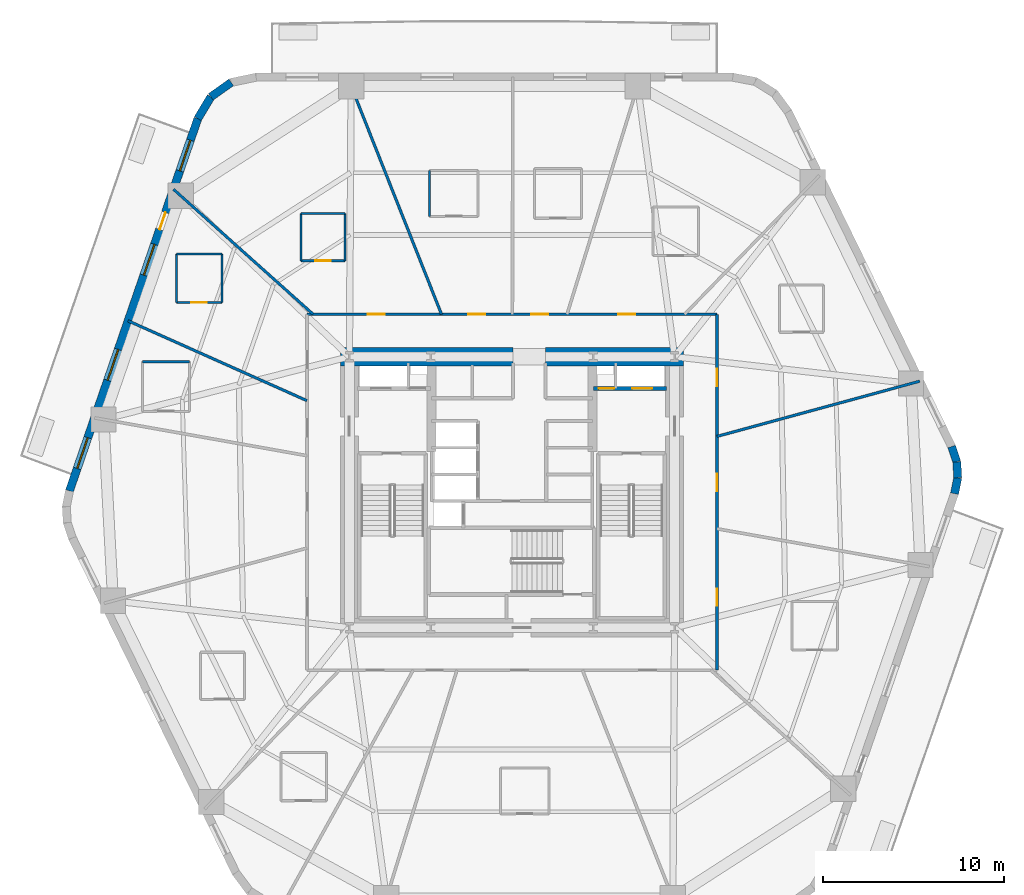
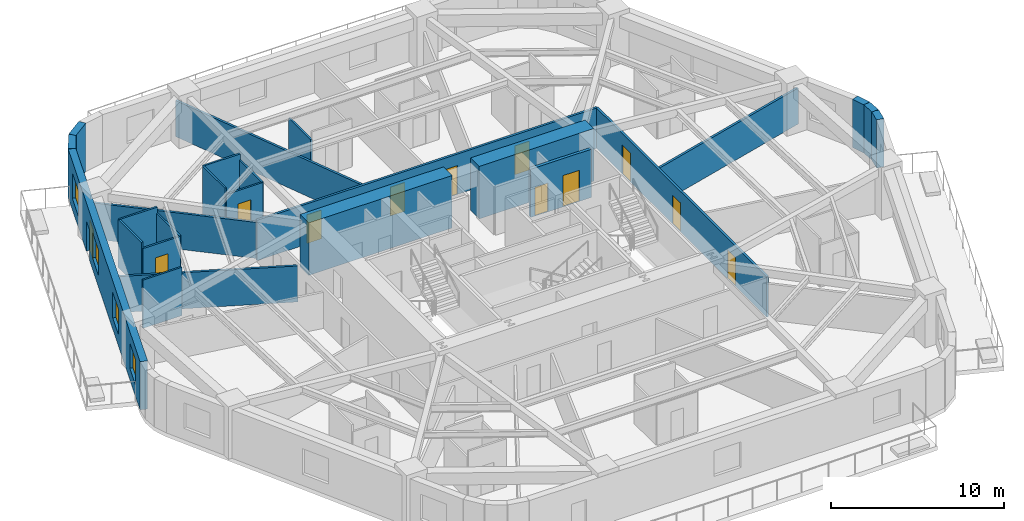
# One storey, part 5 of 10: 25 walls, 12 doors, 4 windows, 16 openings.
"""IFC4 building model written with IfcOpenShell, lengths in metres."""

from ifc_helpers import new_model, si_unit, direction, frame, frame_2d, origin, place, context, subcontext, project, spatial, rectangle, extrude, material, layer, layer_set, type_object, element, fill, save


model = new_model("IFC4")

# Units and contexts
model_context = context("Model", 3, precision=1e-05, world=origin(), true_north=direction((0.0, 1.0)))
body_context = subcontext(model_context, "Body", "Model", "MODEL_VIEW")
ifc_project = project(units=[si_unit("LENGTHUNIT", "METRE"), si_unit("AREAUNIT", "SQUARE_METRE"), si_unit("VOLUMEUNIT", "CUBIC_METRE"), si_unit("PLANEANGLEUNIT", "RADIAN"), si_unit("MASSUNIT", "GRAM", prefix="KILO")], contexts=[model_context])

# Site, building, storey
site_placement = place(None, origin())
site = spatial("IfcSite", under=ifc_project, at=site_placement, CompositionType="ELEMENT")
building_placement = place(site_placement, origin())
building = spatial("IfcBuilding", under=site, at=building_placement, Name="Kilnhurst Terrace Hotel", CompositionType="ELEMENT")
storey_placement = place(building_placement, frame((0.0, 0.0, 67.5)))
storey = spatial("IfcBuildingStorey", under=building, at=storey_placement, Name="L15", CompositionType="ELEMENT", Elevation=67.5)

# Walls
ifc_material_1 = material(Name="Precast concrete C40/50", Category="concrete")
ifc_layer_1 = layer(ifc_material_1, 0.449951171875, Name="Precast concrete C40/50")
ifc_layer_set_1 = layer_set([ifc_layer_1], Name="Precast concrete C40/50")
wall_type_1 = type_object("IfcWallType", Name="WL-BRK-450", PredefinedType="SOLIDWALL", material=ifc_layer_set_1)
wall_1_placement = place(storey_placement, frame((24.49560546875, -0.07666015625, 0.0), z_axis=(0.0, 0.0, 1.0), x_axis=(0.199570594521, 0.979883451132, 0.0)))
element("IfcWall", 1, at=wall_1_placement, inside=storey, type_object=wall_type_1, Name="L15 Rounded Corner Brick Wall C3.1", PredefinedType="SOLIDWALL", context=body_context, shape_type="SweptSolid", body=[
    extrude(rectangle(XDim=0.896728515625, YDim=0.449951171875, at=frame_2d((0.4482421875, 0.0))), origin(), (0.0, 0.0, 1.0), 3.39990234375),
])
wall_2_placement = place(storey_placement, frame((24.674560546875, 0.802001953125, 0.0), z_axis=(0.0, 0.0, 1.0), x_axis=(-0.061188874166, 0.998126205286, 0.0)))
element("IfcWall", 2, at=wall_2_placement, inside=storey, type_object=wall_type_1, Name="L15 Rounded Corner Brick Wall C3.2", PredefinedType="SOLIDWALL", context=body_context, shape_type="SweptSolid", body=[
    extrude(rectangle(XDim=0.8818359375, YDim=0.449951171875, at=frame_2d((0.44091796875, 0.0))), origin(), (0.0, 0.0, 1.0), 3.39990234375),
])
wall_3_placement = place(storey_placement, frame((24.62060546875, 1.68212890625, 0.0), z_axis=(0.0, 0.0, 1.0), x_axis=(-0.317697451681, 0.948192137278, 0.0)))
element("IfcWall", 3, at=wall_3_placement, inside=storey, type_object=wall_type_1, Name="L15 Rounded Corner Brick Wall C3.3", PredefinedType="SOLIDWALL", context=body_context, shape_type="SweptSolid", body=[
    extrude(rectangle(XDim=0.896728515625, YDim=0.449951171875, at=frame_2d((0.4482421875, 0.0))), origin(), (0.0, 0.0, 1.0), 3.39990234375),
])
wall_4_placement = place(storey_placement, frame((-15.5439453125, 22.68701171875, 0.0), z_axis=(0.0, 0.0, 1.0), x_axis=(-0.814210854316, -0.580569276412, 0.0)))
element("IfcWall", 4, at=wall_4_placement, inside=storey, type_object=wall_type_1, Name="L15 Rounded Corner Brick Wall C5.2", PredefinedType="SOLIDWALL", context=body_context, shape_type="SweptSolid", body=[
    extrude(rectangle(XDim=1.38134765625, YDim=0.449951171875, at=frame_2d((0.690673828125, 0.0))), origin(), (0.0, 0.0, 1.0), 3.39990234375),
])
wall_5_placement = place(storey_placement, frame((-16.668701171875, 21.885009765625, 0.0), z_axis=(0.0, 0.0, 1.0), x_axis=(-0.512936712947, -0.858426425799, 0.0)))
element("IfcWall", 5, at=wall_5_placement, inside=storey, type_object=wall_type_1, Name="L15 Rounded Corner Brick Wall C5.3", PredefinedType="SOLIDWALL", context=body_context, shape_type="SweptSolid", body=[
    extrude(rectangle(XDim=1.405517578125, YDim=0.449951171875, at=frame_2d((0.70263671875, 0.0))), origin(), (0.0, 0.0, 1.0), 3.39990234375),
])

# Wall, openings, door, windows
wall_6_placement = place(storey_placement, frame((-17.3896484375, 20.678466796875, 0.0), z_axis=(0.0, 0.0, 1.0), x_axis=(-0.326068018294, -0.945346310854, 0.0)))
wall_6 = element("IfcWall", 6, at=wall_6_placement, inside=storey, type_object=wall_type_1, Name="L15 Exterior Brick Facade Wall F5", PredefinedType="SOLIDWALL", context=body_context, shape_type="SweptSolid", body=[
    extrude(rectangle(XDim=21.79296875, YDim=0.449951171875, at=frame_2d((10.896484375, 0.0))), origin(), (0.0, 0.0, 1.0), 3.39990234375),
])
opening_1_placement = place(wall_6_placement, frame((5.492919921875, 0.0, 0.0)))
opening_1 = element("IfcOpeningElement", 7, at=opening_1_placement, cuts=wall_6, Name="Opening BD-1000", PredefinedType="OPENING", context=body_context, shape_type="SweptSolid", body=[
    extrude(rectangle(XDim=1.0, YDim=2.14990234375, at=frame_2d((0.5, 1.074951171875))), frame((0.0, 0.23486328125, 0.0), z_axis=(0.0, -1.0, 0.0), x_axis=(1.0, 0.0, 0.0)), (0.0, 0.0, 1.0), 0.469970703125),
])
opening_2_placement = place(wall_6_placement, frame((1.260009765625, 0.0, 0.800048828125)))
opening_2 = element("IfcOpeningElement", 8, at=opening_2_placement, cuts=wall_6, Name="Opening W-01", PredefinedType="OPENING", context=body_context, shape_type="SweptSolid", body=[
    extrude(rectangle(XDim=1.800048828125, YDim=1.800048828125, at=frame_2d((0.89990234375, 0.89990234375))), frame((0.0, 0.23486328125, 0.0), z_axis=(0.0, -1.0, 0.0), x_axis=(1.0, 0.0, 0.0)), (0.0, 0.0, 1.0), 0.469970703125),
])
opening_3_placement = place(wall_6_placement, frame((7.363037109375, 0.0, 0.800048828125)))
opening_3 = element("IfcOpeningElement", 9, at=opening_3_placement, cuts=wall_6, Name="Opening W-01", PredefinedType="OPENING", context=body_context, shape_type="SweptSolid", body=[
    extrude(rectangle(XDim=1.800048828125, YDim=1.800048828125, at=frame_2d((0.89990234375, 0.89990234375))), frame((0.0, 0.23486328125, 0.0), z_axis=(0.0, -1.0, 0.0), x_axis=(1.0, 0.0, 0.0)), (0.0, 0.0, 1.0), 0.469970703125),
])
opening_4_placement = place(wall_6_placement, frame((13.51806640625, 0.0, 0.800048828125)))
opening_4 = element("IfcOpeningElement", 10, at=opening_4_placement, cuts=wall_6, Name="Opening W-01", PredefinedType="OPENING", context=body_context, shape_type="SweptSolid", body=[
    extrude(rectangle(XDim=1.800048828125, YDim=1.800048828125, at=frame_2d((0.89990234375, 0.89990234375))), frame((0.0, 0.23486328125, 0.0), z_axis=(0.0, -1.0, 0.0), x_axis=(1.0, 0.0, 0.0)), (0.0, 0.0, 1.0), 0.469970703125),
])
opening_5_placement = place(wall_6_placement, frame((18.679931640625, 0.0, 0.800048828125)))
opening_5 = element("IfcOpeningElement", 11, at=opening_5_placement, cuts=wall_6, Name="Opening W-01", PredefinedType="OPENING", context=body_context, shape_type="SweptSolid", body=[
    extrude(rectangle(XDim=1.800048828125, YDim=1.800048828125, at=frame_2d((0.89990234375, 0.89990234375))), frame((0.0, 0.23486328125, 0.0), z_axis=(0.0, -1.0, 0.0), x_axis=(1.0, 0.0, 0.0)), (0.0, 0.0, 1.0), 0.469970703125),
])
ifc_material_2 = material(Name="Thermally Broken Bronze Aluminium Alloy 6063-T6 and Laminated Glass", Category="aluminium")
door_type_1 = type_object("IfcDoorType", Name="DR-EXT-BAL-1000", OperationType="NOTDEFINED", PredefinedType="DOOR", material=ifc_material_2)
door_1_placement = place(opening_1_placement, origin())
door_1 = element("IfcDoor", 12, at=door_1_placement, inside=storey, type_object=door_type_1, Name="L15 Planted Balcony Door BAL-L2B", OperationType="SINGLE_SWING_LEFT", OverallHeight=2.14990234375, OverallWidth=1.0, PredefinedType="DOOR", context=body_context, shape_type="SweptSolid", body=[
    extrude(rectangle(XDim=1.0, YDim=2.14990234375, at=frame_2d((0.5, 1.074951171875))), frame((0.0, 0.02490234375, 0.0), z_axis=(0.0, -1.0, 0.0), x_axis=(1.0, 0.0, 0.0)), (0.0, 0.0, 1.0), 0.050048828125),
])
fill(opening_1, door_1)
ifc_material_3 = material(Name="Thermally Broken Bronze Aluminium Alloy 6063-T6 and Low-E Glass", Category="aluminium")
window_type = type_object("IfcWindowType", Name="WIN-1800X1800", PartitioningType="SINGLE_PANEL", PredefinedType="WINDOW", material=ifc_material_3)
window_1_placement = place(opening_2_placement, origin())
window_1 = element("IfcWindow", 13, at=window_1_placement, inside=storey, type_object=window_type, Name="L15 Deep-Set Masonry Window F5.1", OverallHeight=1.800048828125, OverallWidth=1.800048828125, PartitioningType="SINGLE_PANEL", PredefinedType="WINDOW", context=body_context, shape_type="SweptSolid", body=[
    extrude(rectangle(XDim=1.800048828125, YDim=1.800048828125, at=frame_2d((0.89990234375, 0.89990234375))), frame((0.0, 0.030029296875, 0.0), z_axis=(0.0, -1.0, 0.0), x_axis=(1.0, 0.0, 0.0)), (0.0, 0.0, 1.0), 0.06005859375),
])
fill(opening_2, window_1)
window_2_placement = place(opening_3_placement, origin())
window_2 = element("IfcWindow", 14, at=window_2_placement, inside=storey, type_object=window_type, Name="L15 Deep-Set Masonry Window F5.2", OverallHeight=1.800048828125, OverallWidth=1.800048828125, PartitioningType="SINGLE_PANEL", PredefinedType="WINDOW", context=body_context, shape_type="SweptSolid", body=[
    extrude(rectangle(XDim=1.800048828125, YDim=1.800048828125, at=frame_2d((0.89990234375, 0.89990234375))), frame((0.0, 0.030029296875, 0.0), z_axis=(0.0, -1.0, 0.0), x_axis=(1.0, 0.0, 0.0)), (0.0, 0.0, 1.0), 0.06005859375),
])
fill(opening_3, window_2)
window_3_placement = place(opening_4_placement, origin())
window_3 = element("IfcWindow", 15, at=window_3_placement, inside=storey, type_object=window_type, Name="L15 Deep-Set Masonry Window F5.3", OverallHeight=1.800048828125, OverallWidth=1.800048828125, PartitioningType="SINGLE_PANEL", PredefinedType="WINDOW", context=body_context, shape_type="SweptSolid", body=[
    extrude(rectangle(XDim=1.800048828125, YDim=1.800048828125, at=frame_2d((0.89990234375, 0.89990234375))), frame((0.0, 0.030029296875, 0.0), z_axis=(0.0, -1.0, 0.0), x_axis=(1.0, 0.0, 0.0)), (0.0, 0.0, 1.0), 0.06005859375),
])
fill(opening_4, window_3)
window_4_placement = place(opening_5_placement, origin())
window_4 = element("IfcWindow", 16, at=window_4_placement, inside=storey, type_object=window_type, Name="L15 Deep-Set Masonry Window F5.4", OverallHeight=1.800048828125, OverallWidth=1.800048828125, PartitioningType="SINGLE_PANEL", PredefinedType="WINDOW", context=body_context, shape_type="SweptSolid", body=[
    extrude(rectangle(XDim=1.800048828125, YDim=1.800048828125, at=frame_2d((0.89990234375, 0.89990234375))), frame((0.0, 0.030029296875, 0.0), z_axis=(0.0, -1.0, 0.0), x_axis=(1.0, 0.0, 0.0)), (0.0, 0.0, 1.0), 0.06005859375),
])
fill(opening_5, window_4)

# Wall, openings, doors
ifc_material_4 = material(Name="Acoustic Double-Gypsum Corridor Partition Assembly")
ifc_layer_2 = layer(ifc_material_4, 0.14990234375, Name="Acoustic Double-Gypsum Corridor Partition Assembly")
ifc_layer_set_2 = layer_set([ifc_layer_2], Name="Acoustic Double-Gypsum Corridor Partition Assembly")
wall_type_2 = type_object("IfcWallType", Name="WL-COR-150", PredefinedType="PARTITIONING", material=ifc_layer_set_2)
wall_7_placement = place(storey_placement, frame((-11.35009765625, 9.85009765625, 0.0), z_axis=(0.0, 0.0, 1.0), x_axis=(1.0, 0.0, 0.0)))
wall_7 = element("IfcWall", 17, at=wall_7_placement, inside=storey, type_object=wall_type_2, Name="L15 Interior Wall WL-L15-COR-02", PredefinedType="PARTITIONING", context=body_context, shape_type="SweptSolid", body=[
    extrude(rectangle(XDim=22.7001953125, YDim=0.14990234375, at=frame_2d((11.35009765625, 0.0))), origin(), (0.0, 0.0, 1.0), 2.840087890625),
])
opening_6_placement = place(wall_7_placement, frame((17.22509765625, 0.0, 0.0)))
opening_6 = element("IfcOpeningElement", 18, at=opening_6_placement, cuts=wall_7, Name="Opening D-60B", PredefinedType="OPENING", context=body_context, shape_type="SweptSolid", body=[
    extrude(rectangle(XDim=0.949951171875, YDim=2.030029296875, at=frame_2d((0.47509765625, 1.01513671875))), frame((0.0, 0.0849609375, 0.0), z_axis=(0.0, -1.0, 0.0), x_axis=(1.0, 0.0, 0.0)), (0.0, 0.0, 1.0), 0.169921875),
])
opening_7_placement = place(wall_7_placement, frame((12.4150390625, 0.0, 0.0)))
opening_7 = element("IfcOpeningElement", 19, at=opening_7_placement, cuts=wall_7, Name="Opening D-60B", PredefinedType="OPENING", context=body_context, shape_type="SweptSolid", body=[
    extrude(rectangle(XDim=0.949951171875, YDim=2.030029296875, at=frame_2d((0.47509765625, 1.01513671875))), frame((0.0, 0.0849609375, 0.0), z_axis=(0.0, -1.0, 0.0), x_axis=(1.0, 0.0, 0.0)), (0.0, 0.0, 1.0), 0.169921875),
])
opening_8_placement = place(wall_7_placement, frame((8.925048828125, 0.0, 0.0)))
opening_8 = element("IfcOpeningElement", 20, at=opening_8_placement, cuts=wall_7, Name="Opening D-60B", PredefinedType="OPENING", context=body_context, shape_type="SweptSolid", body=[
    extrude(rectangle(XDim=0.949951171875, YDim=2.030029296875, at=frame_2d((0.47509765625, 1.01513671875))), frame((0.0, 0.0849609375, 0.0), z_axis=(0.0, -1.0, 0.0), x_axis=(1.0, 0.0, 0.0)), (0.0, 0.0, 1.0), 0.169921875),
])
opening_9_placement = place(wall_7_placement, frame((3.368896484375, 0.0, 0.0)))
opening_9 = element("IfcOpeningElement", 21, at=opening_9_placement, cuts=wall_7, Name="Opening D-60B", PredefinedType="OPENING", context=body_context, shape_type="SweptSolid", body=[
    extrude(rectangle(XDim=0.949951171875, YDim=2.030029296875, at=frame_2d((0.47509765625, 1.01513671875))), frame((0.0, 0.0849609375, 0.0), z_axis=(0.0, -1.0, 0.0), x_axis=(1.0, 0.0, 0.0)), (0.0, 0.0, 1.0), 0.169921875),
])
ifc_material_5 = material(Name="Acoustic Walnut Veneer Solid-Core Fire Door")
door_type_2 = type_object("IfcDoorType", Name="DR-FD60-950", OperationType="NOTDEFINED", PredefinedType="DOOR", material=ifc_material_5)
door_2_placement = place(opening_6_placement, origin())
door_2 = element("IfcDoor", 22, at=door_2_placement, inside=storey, type_object=door_type_2, Name="L15 Executive Suite Entry Door 2", OperationType="SINGLE_SWING_RIGHT", OverallHeight=2.030029296875, OverallWidth=0.949951171875, PredefinedType="DOOR", context=body_context, shape_type="SweptSolid", body=[
    extrude(rectangle(XDim=0.949951171875, YDim=2.030029296875, at=frame_2d((0.47509765625, 1.01513671875))), frame((0.0, 0.02490234375, 0.0), z_axis=(0.0, -1.0, 0.0), x_axis=(1.0, 0.0, 0.0)), (0.0, 0.0, 1.0), 0.050048828125),
])
fill(opening_6, door_2)
door_3_placement = place(opening_7_placement, origin())
door_3 = element("IfcDoor", 23, at=door_3_placement, inside=storey, type_object=door_type_2, Name="L15 Guest Room Entry Door 3", OperationType="SINGLE_SWING_LEFT", OverallHeight=2.030029296875, OverallWidth=0.949951171875, PredefinedType="DOOR", context=body_context, shape_type="SweptSolid", body=[
    extrude(rectangle(XDim=0.949951171875, YDim=2.030029296875, at=frame_2d((0.47509765625, 1.01513671875))), frame((0.0, 0.02490234375, 0.0), z_axis=(0.0, -1.0, 0.0), x_axis=(1.0, 0.0, 0.0)), (0.0, 0.0, 1.0), 0.050048828125),
])
fill(opening_7, door_3)
door_4_placement = place(opening_8_placement, origin())
door_4 = element("IfcDoor", 24, at=door_4_placement, inside=storey, type_object=door_type_2, Name="L15 Executive Suite Entry Door 4", OperationType="SINGLE_SWING_RIGHT", OverallHeight=2.030029296875, OverallWidth=0.949951171875, PredefinedType="DOOR", context=body_context, shape_type="SweptSolid", body=[
    extrude(rectangle(XDim=0.949951171875, YDim=2.030029296875, at=frame_2d((0.47509765625, 1.01513671875))), frame((0.0, 0.02490234375, 0.0), z_axis=(0.0, -1.0, 0.0), x_axis=(1.0, 0.0, 0.0)), (0.0, 0.0, 1.0), 0.050048828125),
])
fill(opening_8, door_4)
door_5_placement = place(opening_9_placement, origin())
door_5 = element("IfcDoor", 25, at=door_5_placement, inside=storey, type_object=door_type_2, Name="L15 Executive Suite Entry Door 5", OperationType="SINGLE_SWING_LEFT", OverallHeight=2.030029296875, OverallWidth=0.949951171875, PredefinedType="DOOR", context=body_context, shape_type="SweptSolid", body=[
    extrude(rectangle(XDim=0.949951171875, YDim=2.030029296875, at=frame_2d((0.47509765625, 1.01513671875))), frame((0.0, 0.02490234375, 0.0), z_axis=(0.0, -1.0, 0.0), x_axis=(1.0, 0.0, 0.0)), (0.0, 0.0, 1.0), 0.050048828125),
])
fill(opening_9, door_5)

wall_8_placement = place(storey_placement, frame((11.35009765625, 9.85009765625, 0.0), z_axis=(0.0, 0.0, 1.0), x_axis=(0.0, -1.0, 0.0)))
wall_8 = element("IfcWall", 26, at=wall_8_placement, inside=storey, type_object=wall_type_2, Name="L15 Interior Wall WL-L15-COR-03", PredefinedType="PARTITIONING", context=body_context, shape_type="SweptSolid", body=[
    extrude(rectangle(XDim=19.7001953125, YDim=0.14990234375, at=frame_2d((9.85009765625, 0.0))), origin(), (0.0, 0.0, 1.0), 2.840087890625),
])
opening_10_placement = place(wall_8_placement, frame((3.02392578125, 0.0, 0.0)))
opening_10 = element("IfcOpeningElement", 27, at=opening_10_placement, cuts=wall_8, Name="Opening D-60B", PredefinedType="OPENING", context=body_context, shape_type="SweptSolid", body=[
    extrude(rectangle(XDim=0.949951171875, YDim=2.030029296875, at=frame_2d((0.47509765625, 1.01513671875))), frame((0.0, 0.0849609375, 0.0), z_axis=(0.0, -1.0, 0.0), x_axis=(1.0, 0.0, 0.0)), (0.0, 0.0, 1.0), 0.169921875),
])
opening_11_placement = place(wall_8_placement, frame((15.19091796875, 0.0, 0.0)))
opening_11 = element("IfcOpeningElement", 28, at=opening_11_placement, cuts=wall_8, Name="Opening D-60B", PredefinedType="OPENING", context=body_context, shape_type="SweptSolid", body=[
    extrude(rectangle(XDim=0.949951171875, YDim=2.030029296875, at=frame_2d((0.47509765625, 1.01513671875))), frame((0.0, 0.0849609375, 0.0), z_axis=(0.0, -1.0, 0.0), x_axis=(1.0, 0.0, 0.0)), (0.0, 0.0, 1.0), 0.169921875),
])
opening_12_placement = place(wall_8_placement, frame((8.837890625, 0.0, 0.0)))
opening_12 = element("IfcOpeningElement", 29, at=opening_12_placement, cuts=wall_8, Name="Opening D-60B", PredefinedType="OPENING", context=body_context, shape_type="SweptSolid", body=[
    extrude(rectangle(XDim=0.949951171875, YDim=2.030029296875, at=frame_2d((0.47509765625, 1.01513671875))), frame((0.0, 0.0849609375, 0.0), z_axis=(0.0, -1.0, 0.0), x_axis=(1.0, 0.0, 0.0)), (0.0, 0.0, 1.0), 0.169921875),
])
door_6_placement = place(opening_10_placement, origin())
door_6 = element("IfcDoor", 30, at=door_6_placement, inside=storey, type_object=door_type_2, Name="L15 Executive Suite Entry Door 1", OperationType="SINGLE_SWING_LEFT", OverallHeight=2.030029296875, OverallWidth=0.949951171875, PredefinedType="DOOR", context=body_context, shape_type="SweptSolid", body=[
    extrude(rectangle(XDim=0.949951171875, YDim=2.030029296875, at=frame_2d((0.47509765625, 1.01513671875))), frame((0.0, 0.02490234375, 0.0), z_axis=(0.0, -1.0, 0.0), x_axis=(1.0, 0.0, 0.0)), (0.0, 0.0, 1.0), 0.050048828125),
])
fill(opening_10, door_6)
door_7_placement = place(opening_11_placement, origin())
door_7 = element("IfcDoor", 31, at=door_7_placement, inside=storey, type_object=door_type_2, Name="L15 Executive Suite Entry Door 14", OperationType="SINGLE_SWING_RIGHT", OverallHeight=2.030029296875, OverallWidth=0.949951171875, PredefinedType="DOOR", context=body_context, shape_type="SweptSolid", body=[
    extrude(rectangle(XDim=0.949951171875, YDim=2.030029296875, at=frame_2d((0.47509765625, 1.01513671875))), frame((0.0, 0.02490234375, 0.0), z_axis=(0.0, -1.0, 0.0), x_axis=(1.0, 0.0, 0.0)), (0.0, 0.0, 1.0), 0.050048828125),
])
fill(opening_11, door_7)
door_8_placement = place(opening_12_placement, origin())
door_8 = element("IfcDoor", 32, at=door_8_placement, inside=storey, type_object=door_type_2, Name="L15 Reading Study Door", OperationType="SINGLE_SWING_LEFT", OverallHeight=2.030029296875, OverallWidth=0.949951171875, PredefinedType="DOOR", context=body_context, shape_type="SweptSolid", body=[
    extrude(rectangle(XDim=0.949951171875, YDim=2.030029296875, at=frame_2d((0.47509765625, 1.01513671875))), frame((0.0, 0.02490234375, 0.0), z_axis=(0.0, -1.0, 0.0), x_axis=(1.0, 0.0, 0.0)), (0.0, 0.0, 1.0), 0.050048828125),
])
fill(opening_12, door_8)

# Walls
ifc_material_6 = material(Name="Concrete C80/95", Category="concrete")
ifc_layer_3 = layer(ifc_material_6, 1.0, Name="Concrete C80/95")
ifc_layer_set_3 = layer_set([ifc_layer_3], Name="Concrete C80/95")
wall_type_3 = type_object("IfcWallType", Name="WL-CORE-1000", PredefinedType="SHEAR", material=ifc_layer_set_3)
wall_9_placement = place(storey_placement, frame((-9.5, 7.5, 0.0), z_axis=(0.0, 0.0, 1.0), x_axis=(1.0, 0.0, 0.0)))
element("IfcWall", 33, at=wall_9_placement, inside=storey, type_object=wall_type_3, Name="L15 Core North West Shear Wall", PredefinedType="SHEAR", context=body_context, shape_type="SweptSolid", body=[
    extrude(rectangle(XDim=9.550048828125, YDim=1.0, at=frame_2d((4.77490234375, 0.0))), origin(), (0.0, 0.0, 1.0), 3.699951171875),
])
wall_10_placement = place(storey_placement, frame((1.85009765625, 7.5, 0.0), z_axis=(0.0, 0.0, 1.0), x_axis=(1.0, 0.0, 0.0)))
element("IfcWall", 34, at=wall_10_placement, inside=storey, type_object=wall_type_3, Name="L15 Core North East Shear Wall", PredefinedType="SHEAR", context=body_context, shape_type="SweptSolid", body=[
    extrude(rectangle(XDim=7.64990234375, YDim=1.0, at=frame_2d((3.824951171875, 0.0))), origin(), (0.0, 0.0, 1.0), 3.699951171875),
])
ifc_material_7 = material(Name="STC-58 Acoustic Twin-Frame Guestroom Demising Partition")
ifc_layer_4 = layer(ifc_material_7, 0.14990234375, Name="STC-58 Acoustic Twin-Frame Guestroom Demising Partition")
ifc_layer_set_4 = layer_set([ifc_layer_4], Name="STC-58 Acoustic Twin-Frame Guestroom Demising Partition")
wall_type_4 = type_object("IfcWallType", Name="WL-DEM-150", PredefinedType="PARTITIONING", material=ifc_layer_set_4)
wall_11_placement = place(storey_placement, frame((11.35009765625, 3.0908203125, 0.0), z_axis=(0.0, 0.0, 1.0), x_axis=(0.964859685283, 0.262765651704, 0.0)))
element("IfcWall", 35, at=wall_11_placement, inside=storey, type_object=wall_type_4, Name="L15 Interior Wall WL-L15-DEM-COL01-01-1", PredefinedType="PARTITIONING", context=body_context, shape_type="SweptSolid", body=[
    extrude(rectangle(XDim=11.62890625, YDim=0.14990234375, at=frame_2d((5.814453125, 0.0))), origin(), (0.0, 0.0, 1.0), 2.5400390625),
])
wall_12_placement = place(storey_placement, frame((-3.90185546875, 9.85009765625, 0.0), z_axis=(0.0, 0.0, 1.0), x_axis=(-0.36828765711, 0.929711891728, 0.0)))
element("IfcWall", 36, at=wall_12_placement, inside=storey, type_object=wall_type_4, Name="L15 Interior Wall WL-L15-DEM-COL04-05-1", PredefinedType="PARTITIONING", context=body_context, shape_type="SweptSolid", body=[
    extrude(rectangle(XDim=14.1171875, YDim=0.14990234375, at=frame_2d((7.05859375, 0.0))), origin(), (0.0, 0.0, 1.0), 2.5400390625),
])
wall_13_placement = place(storey_placement, frame((-11.006591796875, 9.85009765625, 0.0), z_axis=(0.0, 0.0, 1.0), x_axis=(-0.745177305978, 0.666866390407, 0.0)))
element("IfcWall", 37, at=wall_13_placement, inside=storey, type_object=wall_type_4, Name="L15 Interior Wall WL-L15-DEM-COL05-06-1", PredefinedType="PARTITIONING", context=body_context, shape_type="SweptSolid", body=[
    extrude(rectangle(XDim=10.375244140625, YDim=0.14990234375, at=frame_2d((5.1875, 0.0))), origin(), (0.0, 0.0, 1.0), 2.5400390625),
])
wall_14_placement = place(storey_placement, frame((-11.35009765625, 5.068115234375, 0.0), z_axis=(0.0, 0.0, 1.0), x_axis=(-0.913107192911, 0.407719577963, 0.0)))
element("IfcWall", 38, at=wall_14_placement, inside=storey, type_object=wall_type_4, Name="L15 Interior Wall WL-L15-DEM-MID05-07-1", PredefinedType="PARTITIONING", context=body_context, shape_type="SweptSolid", body=[
    extrude(rectangle(XDim=10.84130859375, YDim=0.14990234375, at=frame_2d((5.420654296875, 0.0))), origin(), (0.0, 0.0, 1.0), 2.5400390625),
])
ifc_material_8 = material(Name="120 mm Moisture-Resistant Tile-Backed Bathroom Partition")
ifc_layer_5 = layer(ifc_material_8, 0.1201171875, Name="120 mm Moisture-Resistant Tile-Backed Bathroom Partition")
ifc_layer_set_5 = layer_set([ifc_layer_5], Name="120 mm Moisture-Resistant Tile-Backed Bathroom Partition")
wall_type_5 = type_object("IfcWallType", Name="WL-PART-120", PredefinedType="PARTITIONING", material=ifc_layer_set_5)
wall_15_placement = place(storey_placement, frame((-4.55908203125, 17.806884765625, 0.0), z_axis=(0.0, 0.0, 1.0), x_axis=(0.0, -1.0, 0.0)))
element("IfcWall", 39, at=wall_15_placement, inside=storey, type_object=wall_type_5, Name="L15 Interior Wall WL-L15-BTH-04-4", PredefinedType="PARTITIONING", context=body_context, shape_type="SweptSolid", body=[
    extrude(rectangle(XDim=2.539794921875, YDim=0.1201171875, at=frame_2d((1.27001953125, 0.0))), origin(), (0.0, 0.0, 1.0), 2.84033203125),
])

# Wall, opening, door
wall_16_placement = place(storey_placement, frame((-11.681884765625, 12.81298828125, 0.0), z_axis=(0.0, 0.0, 1.0), x_axis=(1.0, 0.0, 0.0)))
wall_16 = element("IfcWall", 40, at=wall_16_placement, inside=storey, type_object=wall_type_5, Name="L15 Interior Wall WL-L15-BTH-05-1", PredefinedType="PARTITIONING", context=body_context, shape_type="SweptSolid", body=[
    extrude(rectangle(XDim=2.43994140625, YDim=0.1201171875, at=frame_2d((1.219970703125, 0.0))), origin(), (0.0, 0.0, 1.0), 2.972412109375),
])
opening_13_placement = place(wall_16_placement, frame((0.794921875, 0.0, 0.0)))
opening_13 = element("IfcOpeningElement", 41, at=opening_13_placement, cuts=wall_16, Name="Opening D-08A", PredefinedType="OPENING", context=body_context, shape_type="SweptSolid", body=[
    extrude(rectangle(XDim=0.85009765625, YDim=2.030029296875, at=frame_2d((0.425048828125, 1.01513671875))), frame((0.0, 0.070068359375, 0.0), z_axis=(0.0, -1.0, 0.0), x_axis=(1.0, 0.0, 0.0)), (0.0, 0.0, 1.0), 0.14013671875),
])
ifc_material_9 = material(Name="Moisture-Resistant Lacquered En-suite Bathroom Door")
door_type_3 = type_object("IfcDoorType", Name="DR-INT-850", OperationType="NOTDEFINED", PredefinedType="DOOR", material=ifc_material_9)
door_9_placement = place(opening_13_placement, origin())
door_9 = element("IfcDoor", 42, at=door_9_placement, inside=storey, type_object=door_type_3, Name="L15 En-suite Bathroom Door 5", OperationType="SINGLE_SWING_RIGHT", OverallHeight=2.030029296875, OverallWidth=0.85009765625, PredefinedType="DOOR", context=body_context, shape_type="SweptSolid", body=[
    extrude(rectangle(XDim=0.85009765625, YDim=2.030029296875, at=frame_2d((0.425048828125, 1.01513671875))), frame((0.0, 0.02490234375, 0.0), z_axis=(0.0, -1.0, 0.0), x_axis=(1.0, 0.0, 0.0)), (0.0, 0.0, 1.0), 0.050048828125),
])
fill(opening_13, door_9)

# Walls
wall_17_placement = place(storey_placement, frame((-9.241943359375, 12.81298828125, 0.0), z_axis=(0.0, 0.0, 1.0), x_axis=(0.0, 1.0, 0.0)))
element("IfcWall", 43, at=wall_17_placement, inside=storey, type_object=wall_type_5, Name="L15 Interior Wall WL-L15-BTH-05-2", PredefinedType="PARTITIONING", context=body_context, shape_type="SweptSolid", body=[
    extrude(rectangle(XDim=2.610107421875, YDim=0.1201171875, at=frame_2d((1.30517578125, 0.0))), origin(), (0.0, 0.0, 1.0), 2.972412109375),
])
wall_18_placement = place(storey_placement, frame((-9.241943359375, 15.423095703125, 0.0), z_axis=(0.0, 0.0, 1.0), x_axis=(-1.0, 0.0, 0.0)))
element("IfcWall", 44, at=wall_18_placement, inside=storey, type_object=wall_type_5, Name="L15 Interior Wall WL-L15-BTH-05-3", PredefinedType="PARTITIONING", context=body_context, shape_type="SweptSolid", body=[
    extrude(rectangle(XDim=2.43994140625, YDim=0.1201171875, at=frame_2d((1.219970703125, 0.0))), origin(), (0.0, 0.0, 1.0), 3.39990234375),
])
wall_19_placement = place(storey_placement, frame((-11.681884765625, 15.423095703125, 0.0), z_axis=(0.0, 0.0, 1.0), x_axis=(0.0, -1.0, 0.0)))
element("IfcWall", 45, at=wall_19_placement, inside=storey, type_object=wall_type_5, Name="L15 Interior Wall WL-L15-BTH-05-4", PredefinedType="PARTITIONING", context=body_context, shape_type="SweptSolid", body=[
    extrude(rectangle(XDim=2.610107421875, YDim=0.1201171875, at=frame_2d((1.30517578125, 0.0))), origin(), (0.0, 0.0, 1.0), 3.39990234375),
])

# Wall, opening, door
wall_20_placement = place(storey_placement, frame((-18.5791015625, 10.50390625, 0.0), z_axis=(0.0, 0.0, 1.0), x_axis=(1.0, 0.0, 0.0)))
wall_20 = element("IfcWall", 46, at=wall_20_placement, inside=storey, type_object=wall_type_5, Name="L15 Interior Wall WL-L15-BTH-06-1", PredefinedType="PARTITIONING", context=body_context, shape_type="SweptSolid", body=[
    extrude(rectangle(XDim=2.52001953125, YDim=0.1201171875, at=frame_2d((1.260009765625, 0.0))), origin(), (0.0, 0.0, 1.0), 2.972412109375),
])
opening_14_placement = place(wall_20_placement, frame((0.8349609375, 0.0, 0.0)))
opening_14 = element("IfcOpeningElement", 47, at=opening_14_placement, cuts=wall_20, Name="Opening D-08A", PredefinedType="OPENING", context=body_context, shape_type="SweptSolid", body=[
    extrude(rectangle(XDim=0.85009765625, YDim=2.030029296875, at=frame_2d((0.425048828125, 1.01513671875))), frame((0.0, 0.070068359375, 0.0), z_axis=(0.0, -1.0, 0.0), x_axis=(1.0, 0.0, 0.0)), (0.0, 0.0, 1.0), 0.14013671875),
])
door_10_placement = place(opening_14_placement, origin())
door_10 = element("IfcDoor", 48, at=door_10_placement, inside=storey, type_object=door_type_3, Name="L15 En-suite Bathroom Door 6", OperationType="SINGLE_SWING_LEFT", OverallHeight=2.030029296875, OverallWidth=0.85009765625, PredefinedType="DOOR", context=body_context, shape_type="SweptSolid", body=[
    extrude(rectangle(XDim=0.85009765625, YDim=2.030029296875, at=frame_2d((0.425048828125, 1.01513671875))), frame((0.0, 0.02490234375, 0.0), z_axis=(0.0, -1.0, 0.0), x_axis=(1.0, 0.0, 0.0)), (0.0, 0.0, 1.0), 0.050048828125),
])
fill(opening_14, door_10)

# Walls
wall_21_placement = place(storey_placement, frame((-16.05908203125, 10.50390625, 0.0), z_axis=(0.0, 0.0, 1.0), x_axis=(0.0, 1.0, 0.0)))
element("IfcWall", 49, at=wall_21_placement, inside=storey, type_object=wall_type_5, Name="L15 Interior Wall WL-L15-BTH-06-2", PredefinedType="PARTITIONING", context=body_context, shape_type="SweptSolid", body=[
    extrude(rectangle(XDim=2.68017578125, YDim=0.1201171875, at=frame_2d((1.340087890625, 0.0))), origin(), (0.0, 0.0, 1.0), 2.972412109375),
])
wall_22_placement = place(storey_placement, frame((-16.05908203125, 13.18408203125, 0.0), z_axis=(0.0, 0.0, 1.0), x_axis=(-1.0, 0.0, 0.0)))
element("IfcWall", 50, at=wall_22_placement, inside=storey, type_object=wall_type_5, Name="L15 Interior Wall WL-L15-BTH-06-3", PredefinedType="PARTITIONING", context=body_context, shape_type="SweptSolid", body=[
    extrude(rectangle(XDim=2.52001953125, YDim=0.1201171875, at=frame_2d((1.260009765625, 0.0))), origin(), (0.0, 0.0, 1.0), 3.39990234375),
])
wall_23_placement = place(storey_placement, frame((-18.5791015625, 13.18408203125, 0.0), z_axis=(0.0, 0.0, 1.0), x_axis=(0.0, -1.0, 0.0)))
element("IfcWall", 51, at=wall_23_placement, inside=storey, type_object=wall_type_5, Name="L15 Interior Wall WL-L15-BTH-06-4", PredefinedType="PARTITIONING", context=body_context, shape_type="SweptSolid", body=[
    extrude(rectangle(XDim=2.68017578125, YDim=0.1201171875, at=frame_2d((1.340087890625, 0.0))), origin(), (0.0, 0.0, 1.0), 3.39990234375),
])
wall_24_placement = place(storey_placement, frame((-17.84912109375, 7.22412109375, 0.0), z_axis=(0.0, 0.0, 1.0), x_axis=(-1.0, 0.0, 0.0)))
element("IfcWall", 52, at=wall_24_placement, inside=storey, type_object=wall_type_5, Name="L15 Interior Wall WL-L15-BTH-07-3", PredefinedType="PARTITIONING", context=body_context, shape_type="SweptSolid", body=[
    extrude(rectangle(XDim=2.599853515625, YDim=0.1201171875, at=frame_2d((1.2998046875, 0.0))), origin(), (0.0, 0.0, 1.0), 3.39990234375),
])

# Wall, openings, doors
ifc_material_10 = material(Name="Autoclaved Aerated Concrete C30/37 and Gypsum Shaft Assembly", Category="concrete")
ifc_layer_6 = layer(ifc_material_10, 0.199951171875, Name="Autoclaved Aerated Concrete C30/37 and Gypsum Shaft Assembly")
ifc_layer_set_6 = layer_set([ifc_layer_6], Name="Autoclaved Aerated Concrete C30/37 and Gypsum Shaft Assembly")
wall_type_6 = type_object("IfcWallType", Name="WL-SHAFT-200", PredefinedType="PARTITIONING", material=ifc_layer_set_6)
wall_25_placement = place(storey_placement, frame((4.5, 5.739990234375, 0.0), z_axis=(0.0, 0.0, 1.0), x_axis=(1.0, 0.0, 0.0)))
wall_25 = element("IfcWall", 53, at=wall_25_placement, inside=storey, type_object=wall_type_6, Name="L15 Interior Wall WL-L15-FSAE2-S", PredefinedType="PARTITIONING", context=body_context, shape_type="SweptSolid", body=[
    extrude(rectangle(XDim=4.050048828125, YDim=0.199951171875, at=frame_2d((2.02490234375, 0.0))), origin(), (0.0, 0.0, 1.0), 3.39990234375),
])
opening_15_placement = place(wall_25_placement, frame((0.300048828125, 0.0, 0.0)))
opening_15 = element("IfcOpeningElement", 54, at=opening_15_placement, cuts=wall_25, Name="Opening D-60D", PredefinedType="OPENING", context=body_context, shape_type="SweptSolid", body=[
    extrude(rectangle(XDim=0.85009765625, YDim=2.030029296875, at=frame_2d((0.425048828125, 1.01513671875))), frame((0.0, 0.10986328125, 0.0), z_axis=(0.0, -1.0, 0.0), x_axis=(1.0, 0.0, 0.0)), (0.0, 0.0, 1.0), 0.219970703125),
])
opening_16_placement = place(wall_25_placement, frame((2.14990234375, 0.0, 0.0)))
opening_16 = element("IfcOpeningElement", 55, at=opening_16_placement, cuts=wall_25, Name="Opening LD-F2", PredefinedType="OPENING", context=body_context, shape_type="SweptSolid", body=[
    extrude(rectangle(XDim=1.10009765625, YDim=2.199951171875, at=frame_2d((0.550048828125, 1.10009765625))), frame((0.0, 0.10986328125, 0.0), z_axis=(0.0, -1.0, 0.0), x_axis=(1.0, 0.0, 0.0)), (0.0, 0.0, 1.0), 0.219970703125),
])
ifc_material_11 = material(Name="Painted Hollow Metal Steel ASTM A36 Riser Door", Category="steel")
door_type_4 = type_object("IfcDoorType", Name="DR-FD60-850", OperationType="NOTDEFINED", PredefinedType="DOOR", material=ifc_material_11)
door_11_placement = place(opening_15_placement, origin())
door_11 = element("IfcDoor", 56, at=door_11_placement, inside=storey, type_object=door_type_4, Name="L15 Telecom Riser Door", OperationType="SINGLE_SWING_RIGHT", OverallHeight=2.030029296875, OverallWidth=0.85009765625, PredefinedType="DOOR", context=body_context, shape_type="SweptSolid", body=[
    extrude(rectangle(XDim=0.85009765625, YDim=2.030029296875, at=frame_2d((0.425048828125, 1.01513671875))), frame((0.0, 0.02490234375, 0.0), z_axis=(0.0, -1.0, 0.0), x_axis=(1.0, 0.0, 0.0)), (0.0, 0.0, 1.0), 0.050048828125),
])
fill(opening_15, door_11)
ifc_material_12 = material(Name="Bronze-Anodized Stainless Steel AISI 316L Sliding Door", Category="steel")
door_type_5 = type_object("IfcDoorType", Name="DR-LIFT-1100", OperationType="NOTDEFINED", PredefinedType="DOOR", material=ifc_material_12)
door_12_placement = place(opening_16_placement, origin())
door_12 = element("IfcDoor", 57, at=door_12_placement, inside=storey, type_object=door_type_5, Name="L15 FSAE-2 Landing Door", OperationType="SLIDING_TO_RIGHT", OverallHeight=2.199951171875, OverallWidth=1.10009765625, PredefinedType="DOOR", context=body_context, shape_type="SweptSolid", body=[
    extrude(rectangle(XDim=1.10009765625, YDim=2.199951171875, at=frame_2d((0.550048828125, 1.10009765625))), frame((0.0, 0.02490234375, 0.0), z_axis=(0.0, -1.0, 0.0), x_axis=(1.0, 0.0, 0.0)), (0.0, 0.0, 1.0), 0.050048828125),
])
fill(opening_16, door_12)

save(model, "model.ifc")
